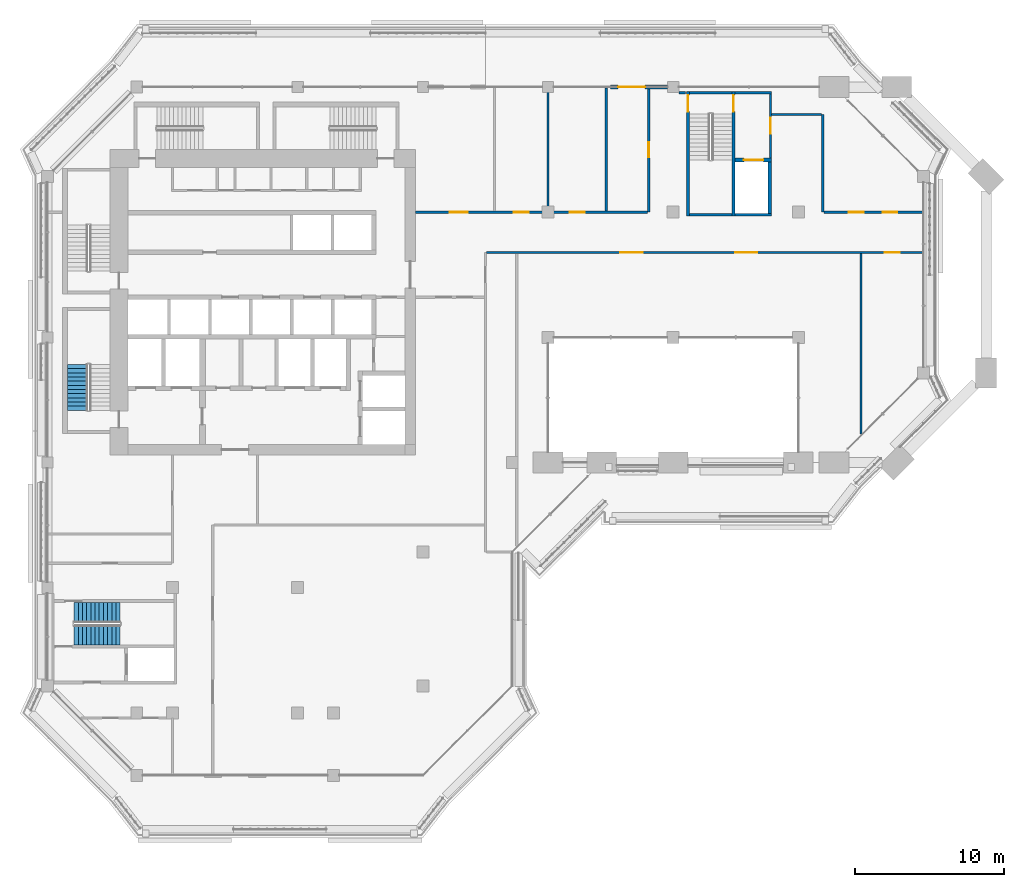
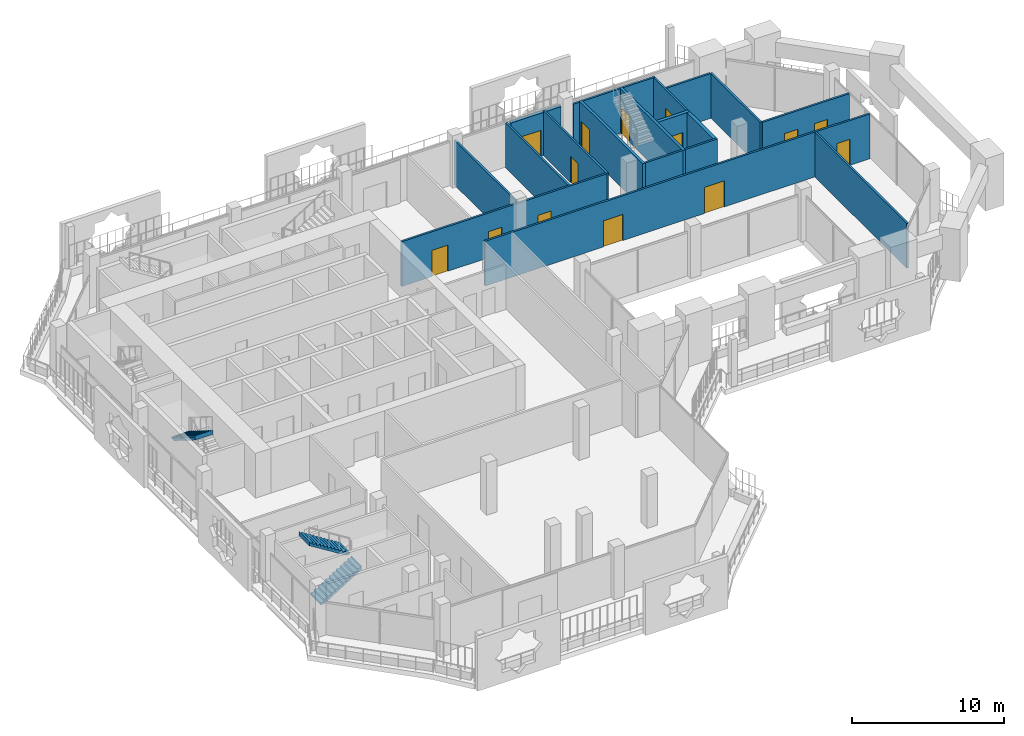
# One storey, part 13 of 23: 20 walls, 14 doors, 3 stair flights, 14 openings, 2 elements without a shape of their own.
"""IFC4 building model written with IfcOpenShell, lengths in metres."""

from ifc_helpers import new_model, si_unit, direction, frame, frame_2d, origin, place, context, subcontext, project, spatial, polyline, rectangle, outline, extrude, material, layer, layer_set, type_object, element, fill, aggregate, save


model = new_model("IFC4")

# Units and contexts
model_context = context("Model", 3, precision=1e-05, world=origin(), true_north=direction((0.0, 1.0)))
body_context = subcontext(model_context, "Body", "Model", "MODEL_VIEW")
ifc_project = project(units=[si_unit("LENGTHUNIT", "METRE"), si_unit("AREAUNIT", "SQUARE_METRE"), si_unit("VOLUMEUNIT", "CUBIC_METRE"), si_unit("PLANEANGLEUNIT", "RADIAN"), si_unit("MASSUNIT", "GRAM", prefix="KILO")], contexts=[model_context])

# Site, building, storey
site_placement = place(None, origin())
site = spatial("IfcSite", under=ifc_project, at=site_placement, CompositionType="ELEMENT")
building_placement = place(site_placement, origin())
building = spatial("IfcBuilding", under=site, at=building_placement, Name="Kawkab Arch Medical Tower", CompositionType="ELEMENT")
storey_placement = place(building_placement, frame((0.0, 0.0, 281.800048828125)))
storey = spatial("IfcBuildingStorey", under=building, at=storey_placement, Name="L65", CompositionType="ELEMENT", Elevation=281.800048828125)

# Wall, opening, door
ifc_material_1 = material(Name="Gypsum board on steel studs", Category="steel")
ifc_layer_1 = layer(ifc_material_1, 0.14990234375)
ifc_layer_set_1 = layer_set([ifc_layer_1], Name="Gypsum board on steel studs")
wall_type_1 = type_object("IfcWallType", Name="Core room partition 150", PredefinedType="PARTITIONING", material=ifc_layer_set_1)
wall_1_placement = place(storey_placement, frame((48.52490234375, -4.77490234375, 0.0), z_axis=(0.0, 0.0, 1.0), x_axis=(0.0, 1.0, 0.0)))
wall_1 = element("IfcWall", 1, at=wall_1_placement, inside=storey, type_object=wall_type_1, Name="L65 core room partition", PredefinedType="PARTITIONING", context=body_context, shape_type="SweptSolid", body=[
    extrude(rectangle(XDim=4.324951171875, YDim=0.14990234375, at=frame_2d((2.16259765625, 0.0))), origin(), (0.0, 0.0, 1.0), 3.599853515625),
])
opening_1_placement = place(wall_1_placement, frame((1.625, 0.0, 0.0)))
opening_1 = element("IfcOpeningElement", 2, at=opening_1_placement, cuts=wall_1, Name="Opening FD", PredefinedType="OPENING", context=body_context, shape_type="SweptSolid", body=[
    extrude(rectangle(XDim=1.10009765625, YDim=2.10009765625, at=frame_2d((0.550048828125, 1.050048828125))), frame((0.0, 0.0849609375, 0.0), z_axis=(0.0, -1.0, 0.0), x_axis=(1.0, 0.0, 0.0)), (0.0, 0.0, 1.0), 0.169921875),
])
ifc_material_2 = material(Name="Hollow metal fire door leaf")
door_type_1 = type_object("IfcDoorType", Name="Firefighting lobby door 1100", OperationType="SINGLE_SWING_LEFT", PredefinedType="DOOR", material=ifc_material_2)
door_1_placement = place(opening_1_placement, origin())
door_1 = element("IfcDoor", 3, at=door_1_placement, inside=storey, type_object=door_type_1, Name="L65 Service lift lobby door SV1", OperationType="SINGLE_SWING_LEFT", OverallHeight=2.10009765625, OverallWidth=1.10009765625, PredefinedType="DOOR", context=body_context, shape_type="SweptSolid", body=[
    extrude(rectangle(XDim=1.10009765625, YDim=2.10009765625, at=frame_2d((0.550048828125, 1.050048828125))), frame((0.0, 0.02490234375, 0.0), z_axis=(0.0, -1.0, 0.0), x_axis=(1.0, 0.0, 0.0)), (0.0, 0.0, 1.0), 0.050048828125),
])
fill(opening_1, door_1)

ifc_material_3 = material(Name="Concrete C60/75", Category="concrete")
ifc_layer_2 = layer(ifc_material_3, 0.25)
ifc_layer_set_2 = layer_set([ifc_layer_2], Name="Concrete C60/75")
wall_type_2 = type_object("IfcWallType", Name="Core shear wall 250 C60/75", PredefinedType="SHEAR", material=ifc_layer_set_2)
wall_2_placement = place(storey_placement, frame((46.14990234375, -4.89990234375, 0.0), z_axis=(0.0, 0.0, 1.0), x_axis=(1.0, 0.0, 0.0)))
wall_2 = element("IfcWall", 4, at=wall_2_placement, inside=storey, type_object=wall_type_2, Name="L65 core shear wall", PredefinedType="SHEAR", context=body_context, shape_type="SweptSolid", body=[
    extrude(rectangle(XDim=2.4501953125, YDim=0.25, at=frame_2d((1.22509765625, 0.0))), origin(), (0.0, 0.0, 1.0), 3.599853515625),
])
opening_2_placement = place(wall_2_placement, frame((0.60009765625, 0.0, 0.0)))
opening_2 = element("IfcOpeningElement", 5, at=opening_2_placement, cuts=wall_2, Name="Opening LD2", PredefinedType="OPENING", context=body_context, shape_type="SweptSolid", body=[
    extrude(rectangle(XDim=1.300048828125, YDim=2.10009765625, at=frame_2d((0.64990234375, 1.050048828125))), frame((0.0, 0.135009765625, 0.0), z_axis=(0.0, -1.0, 0.0), x_axis=(1.0, 0.0, 0.0)), (0.0, 0.0, 1.0), 0.27001953125),
])
ifc_material_4 = material(Name="Stainless steel lift door leaf", Category="steel")
door_type_2 = type_object("IfcDoorType", Name="Lift landing door 1300", OperationType="DOUBLE_DOOR_SLIDING", PredefinedType="DOOR", material=ifc_material_4)
door_2_placement = place(opening_2_placement, origin())
door_2 = element("IfcDoor", 6, at=door_2_placement, inside=storey, type_object=door_type_2, Name="L65 Lift landing door SV1", OperationType="DOUBLE_DOOR_SLIDING", OverallHeight=2.10009765625, OverallWidth=1.300048828125, PredefinedType="DOOR", context=body_context, shape_type="SweptSolid", body=[
    extrude(rectangle(XDim=1.300048828125, YDim=2.10009765625, at=frame_2d((0.64990234375, 1.050048828125))), frame((0.0, 0.02490234375, 0.0), z_axis=(0.0, -1.0, 0.0), x_axis=(1.0, 0.0, 0.0)), (0.0, 0.0, 1.0), 0.050048828125),
])
fill(opening_2, door_2)

# Wall
wall_3_placement = place(storey_placement, frame((48.47509765625, -8.5, 0.0), z_axis=(0.0, 0.0, 1.0), x_axis=(0.0, 1.0, 0.0)))
element("IfcWall", 7, at=wall_3_placement, inside=storey, type_object=wall_type_2, Name="L65 core shear wall", PredefinedType="SHEAR", context=body_context, shape_type="SweptSolid", body=[
    extrude(rectangle(XDim=3.47509765625, YDim=0.25, at=frame_2d((1.737548828125, 0.0))), origin(), (0.0, 0.0, 1.0), 3.599853515625),
])

# Wall, opening, door
ifc_material_5 = material(Name="Bronze clad insulated wall panel")
ifc_layer_3 = layer(ifc_material_5, 0.25)
ifc_layer_set_3 = layer_set([ifc_layer_3], Name="Bronze clad insulated wall panel")
wall_type_3 = type_object("IfcWallType", Name="External wall bay 250", PredefinedType="SOLIDWALL", material=ifc_layer_set_3)
wall_4_placement = place(storey_placement, frame((41.625, 0.0, 0.0), z_axis=(0.0, 0.0, 1.0), x_axis=(-1.0, 0.0, 0.0)))
wall_4 = element("IfcWall", 8, at=wall_4_placement, inside=storey, type_object=wall_type_3, Name="External wall bay L65.R10.2.1", PredefinedType="SOLIDWALL", context=body_context, shape_type="SweptSolid", body=[
    extrude(rectangle(XDim=3.824951171875, YDim=0.25, at=frame_2d((1.91259765625, 0.0))), origin(), (0.0, 0.0, 1.0), 3.47998046875),
])
opening_3_placement = place(wall_4_placement, frame((1.512451171875, 0.0, 0.0)))
opening_3 = element("IfcOpeningElement", 9, at=opening_3_placement, cuts=wall_4, Name="Opening B65-701", PredefinedType="OPENING", context=body_context, shape_type="SweptSolid", body=[
    extrude(rectangle(XDim=1.800048828125, YDim=2.10009765625, at=frame_2d((0.89990234375, 1.050048828125))), frame((0.0, 0.135009765625, 0.0), z_axis=(0.0, -1.0, 0.0), x_axis=(1.0, 0.0, 0.0)), (0.0, 0.0, 1.0), 0.27001953125),
])
ifc_material_6 = material(Name="Bronze anodised aluminium door with tinted glass", Category="aluminium")
door_type_3 = type_object("IfcDoorType", Name="Double external door 1800 x 2100", OperationType="DOUBLE_DOOR_SINGLE_SWING", PredefinedType="DOOR", material=ifc_material_6)
door_3_placement = place(opening_3_placement, origin())
door_3 = element("IfcDoor", 10, at=door_3_placement, inside=storey, type_object=door_type_3, Name="External door L65.R10.2.1", OperationType="DOUBLE_DOOR_SINGLE_SWING", OverallHeight=2.10009765625, OverallWidth=1.800048828125, PredefinedType="DOOR", context=body_context, shape_type="SweptSolid", body=[
    extrude(rectangle(XDim=1.800048828125, YDim=2.10009765625, at=frame_2d((0.89990234375, 1.050048828125))), frame((0.0, 0.02490234375, 0.0), z_axis=(0.0, -1.0, 0.0), x_axis=(1.0, 0.0, 0.0)), (0.0, 0.0, 1.0), 0.050048828125),
])
fill(opening_3, door_3)

# Wall, openings, doors
ifc_material_7 = material(Name="Gypsum board partition on steel studs, mineral wool", Category="steel")
ifc_layer_4 = layer(ifc_material_7, 0.14990234375)
ifc_layer_set_4 = layer_set([ifc_layer_4], Name="Gypsum board partition on steel studs, mineral wool")
wall_type_4 = type_object("IfcWallType", Name="Partition 150", PredefinedType="PARTITIONING", material=ifc_layer_set_4)
wall_5_placement = place(storey_placement, frame((29.47509765625, -11.10009765625, 0.0), z_axis=(0.0, 0.0, 1.0), x_axis=(1.0, 0.0, 0.0)))
wall_5 = element("IfcWall", 11, at=wall_5_placement, inside=storey, type_object=wall_type_4, Name="Partition 150 w007", PredefinedType="PARTITIONING", context=body_context, shape_type="SweptSolid", body=[
    extrude(rectangle(XDim=29.244873046875, YDim=0.14990234375, at=frame_2d((14.62255859375, 0.0))), origin(), (0.0, 0.0, 1.0), 3.599853515625),
])
opening_4_placement = place(wall_5_placement, frame((26.72509765625, 0.0, 0.0)))
opening_4 = element("IfcOpeningElement", 12, at=opening_4_placement, cuts=wall_5, Name="Opening B65-014", PredefinedType="OPENING", context=body_context, shape_type="SweptSolid", body=[
    extrude(rectangle(XDim=1.0, YDim=2.10009765625, at=frame_2d((0.5, 1.050048828125))), frame((0.0, 0.0849609375, 0.0), z_axis=(0.0, -1.0, 0.0), x_axis=(1.0, 0.0, 0.0)), (0.0, 0.0, 1.0), 0.169921875),
])
opening_5_placement = place(wall_5_placement, frame((16.675048828125, 0.0, 0.0)))
opening_5 = element("IfcOpeningElement", 13, at=opening_5_placement, cuts=wall_5, Name="Opening B65-003", PredefinedType="OPENING", context=body_context, shape_type="SweptSolid", body=[
    extrude(rectangle(XDim=1.5, YDim=2.10009765625, at=frame_2d((0.75, 1.050048828125))), frame((0.0, 0.0849609375, 0.0), z_axis=(0.0, -1.0, 0.0), x_axis=(1.0, 0.0, 0.0)), (0.0, 0.0, 1.0), 0.169921875),
])
opening_6_placement = place(wall_5_placement, frame((8.97509765625, 0.0, 0.0)))
opening_6 = element("IfcOpeningElement", 14, at=opening_6_placement, cuts=wall_5, Name="Opening B65-004", PredefinedType="OPENING", context=body_context, shape_type="SweptSolid", body=[
    extrude(rectangle(XDim=1.5, YDim=2.10009765625, at=frame_2d((0.75, 1.050048828125))), frame((0.0, 0.0849609375, 0.0), z_axis=(0.0, -1.0, 0.0), x_axis=(1.0, 0.0, 0.0)), (0.0, 0.0, 1.0), 0.169921875),
])
ifc_material_8 = material(Name="Hollow metal door leaf")
door_type_4 = type_object("IfcDoorType", Name="Double door 1500x2100 FD30S", OperationType="NOTDEFINED", PredefinedType="DOOR", material=ifc_material_8)
door_4_placement = place(opening_5_placement, origin())
door_4 = element("IfcDoor", 15, at=door_4_placement, inside=storey, type_object=door_type_4, Name="Door B65-003", OperationType="DOUBLE_DOOR_SINGLE_SWING", OverallHeight=2.10009765625, OverallWidth=1.5, PredefinedType="DOOR", context=body_context, shape_type="SweptSolid", body=[
    extrude(rectangle(XDim=1.5, YDim=2.10009765625, at=frame_2d((0.75, 1.050048828125))), frame((0.0, 0.02490234375, 0.0), z_axis=(0.0, -1.0, 0.0), x_axis=(1.0, 0.0, 0.0)), (0.0, 0.0, 1.0), 0.050048828125),
])
fill(opening_5, door_4)
door_5_placement = place(opening_6_placement, origin())
door_5 = element("IfcDoor", 16, at=door_5_placement, inside=storey, type_object=door_type_4, Name="Door B65-004", OperationType="DOUBLE_DOOR_SINGLE_SWING", OverallHeight=2.10009765625, OverallWidth=1.5, PredefinedType="DOOR", context=body_context, shape_type="SweptSolid", body=[
    extrude(rectangle(XDim=1.5, YDim=2.10009765625, at=frame_2d((0.75, 1.050048828125))), frame((0.0, 0.02490234375, 0.0), z_axis=(0.0, -1.0, 0.0), x_axis=(1.0, 0.0, 0.0)), (0.0, 0.0, 1.0), 0.050048828125),
])
fill(opening_6, door_5)
ifc_material_9 = material(Name="Hollow metal door leaf")
door_type_5 = type_object("IfcDoorType", Name="Single door 1000x2100 FD30S", OperationType="NOTDEFINED", PredefinedType="DOOR", material=ifc_material_9)
door_6_placement = place(opening_4_placement, origin())
door_6 = element("IfcDoor", 17, at=door_6_placement, inside=storey, type_object=door_type_5, Name="Door B65-014", OperationType="SINGLE_SWING_LEFT", OverallHeight=2.10009765625, OverallWidth=1.0, PredefinedType="DOOR", context=body_context, shape_type="SweptSolid", body=[
    extrude(rectangle(XDim=1.0, YDim=2.10009765625, at=frame_2d((0.5, 1.050048828125))), frame((0.0, 0.02490234375, 0.0), z_axis=(0.0, -1.0, 0.0), x_axis=(1.0, 0.0, 0.0)), (0.0, 0.0, 1.0), 0.050048828125),
])
fill(opening_4, door_6)

wall_6_placement = place(storey_placement, frame((24.699951171875, -8.39990234375, 0.0), z_axis=(0.0, 0.0, 1.0), x_axis=(1.0, 0.0, 0.0)))
wall_6 = element("IfcWall", 18, at=wall_6_placement, inside=storey, type_object=wall_type_4, Name="Partition 150 w009", PredefinedType="PARTITIONING", context=body_context, shape_type="SweptSolid", body=[
    extrude(rectangle(XDim=15.58203125, YDim=0.14990234375, at=frame_2d((7.791015625, 0.0))), origin(), (0.0, 0.0, 1.0), 3.599853515625),
])
opening_7_placement = place(wall_6_placement, frame((2.300048828125, 0.0, 0.0)))
opening_7 = element("IfcOpeningElement", 19, at=opening_7_placement, cuts=wall_6, Name="Opening B65-018", PredefinedType="OPENING", context=body_context, shape_type="SweptSolid", body=[
    extrude(rectangle(XDim=1.199951171875, YDim=2.10009765625, at=frame_2d((0.60009765625, 1.050048828125))), frame((0.0, 0.0849609375, 0.0), z_axis=(0.0, -1.0, 0.0), x_axis=(1.0, 0.0, 0.0)), (0.0, 0.0, 1.0), 0.169921875),
])
opening_8_placement = place(wall_6_placement, frame((6.60009765625, 0.0, 0.0)))
opening_8 = element("IfcOpeningElement", 20, at=opening_8_placement, cuts=wall_6, Name="Opening B65-009", PredefinedType="OPENING", context=body_context, shape_type="SweptSolid", body=[
    extrude(rectangle(XDim=1.0, YDim=2.10009765625, at=frame_2d((0.5, 1.050048828125))), frame((0.0, 0.0849609375, 0.0), z_axis=(0.0, -1.0, 0.0), x_axis=(1.0, 0.0, 0.0)), (0.0, 0.0, 1.0), 0.169921875),
])
opening_9_placement = place(wall_6_placement, frame((10.35009765625, 0.0, 0.0)))
opening_9 = element("IfcOpeningElement", 21, at=opening_9_placement, cuts=wall_6, Name="Opening B65-010", PredefinedType="OPENING", context=body_context, shape_type="SweptSolid", body=[
    extrude(rectangle(XDim=1.0, YDim=2.10009765625, at=frame_2d((0.5, 1.050048828125))), frame((0.0, 0.0849609375, 0.0), z_axis=(0.0, -1.0, 0.0), x_axis=(1.0, 0.0, 0.0)), (0.0, 0.0, 1.0), 0.169921875),
])
door_7_placement = place(opening_8_placement, origin())
door_7 = element("IfcDoor", 22, at=door_7_placement, inside=storey, type_object=door_type_5, Name="Door B65-009", OperationType="SINGLE_SWING_LEFT", OverallHeight=2.10009765625, OverallWidth=1.0, PredefinedType="DOOR", context=body_context, shape_type="SweptSolid", body=[
    extrude(rectangle(XDim=1.0, YDim=2.10009765625, at=frame_2d((0.5, 1.050048828125))), frame((0.0, 0.02490234375, 0.0), z_axis=(0.0, -1.0, 0.0), x_axis=(1.0, 0.0, 0.0)), (0.0, 0.0, 1.0), 0.050048828125),
])
fill(opening_8, door_7)
door_8_placement = place(opening_9_placement, origin())
door_8 = element("IfcDoor", 23, at=door_8_placement, inside=storey, type_object=door_type_5, Name="Door B65-010", OperationType="SINGLE_SWING_RIGHT", OverallHeight=2.10009765625, OverallWidth=1.0, PredefinedType="DOOR", context=body_context, shape_type="SweptSolid", body=[
    extrude(rectangle(XDim=1.0, YDim=2.10009765625, at=frame_2d((0.5, 1.050048828125))), frame((0.0, 0.02490234375, 0.0), z_axis=(0.0, -1.0, 0.0), x_axis=(1.0, 0.0, 0.0)), (0.0, 0.0, 1.0), 0.050048828125),
])
fill(opening_9, door_8)
ifc_material_10 = material(Name="Hollow metal door leaf")
door_type_6 = type_object("IfcDoorType", Name="Single door 1200x2100 FD30S", OperationType="NOTDEFINED", PredefinedType="DOOR", material=ifc_material_10)
door_9_placement = place(opening_7_placement, origin())
door_9 = element("IfcDoor", 24, at=door_9_placement, inside=storey, type_object=door_type_6, Name="Door B65-018", OperationType="SINGLE_SWING_LEFT", OverallHeight=2.10009765625, OverallWidth=1.199951171875, PredefinedType="DOOR", context=body_context, shape_type="SweptSolid", body=[
    extrude(rectangle(XDim=1.199951171875, YDim=2.10009765625, at=frame_2d((0.60009765625, 1.050048828125))), frame((0.0, 0.02490234375, 0.0), z_axis=(0.0, -1.0, 0.0), x_axis=(1.0, 0.0, 0.0)), (0.0, 0.0, 1.0), 0.050048828125),
])
fill(opening_7, door_9)

wall_7_placement = place(storey_placement, frame((52.117919921875, -8.39990234375, 0.0), z_axis=(0.0, 0.0, 1.0), x_axis=(1.0, 0.0, 0.0)))
wall_7 = element("IfcWall", 25, at=wall_7_placement, inside=storey, type_object=wall_type_4, Name="Partition 150 w010", PredefinedType="PARTITIONING", context=body_context, shape_type="SweptSolid", body=[
    extrude(rectangle(XDim=6.60205078125, YDim=0.14990234375, at=frame_2d((3.301025390625, 0.0))), origin(), (0.0, 0.0, 1.0), 3.599853515625),
])
opening_10_placement = place(wall_7_placement, frame((1.677001953125, 0.0, 0.0)))
opening_10 = element("IfcOpeningElement", 26, at=opening_10_placement, cuts=wall_7, Name="Opening B65-012", PredefinedType="OPENING", context=body_context, shape_type="SweptSolid", body=[
    extrude(rectangle(XDim=1.0, YDim=2.10009765625, at=frame_2d((0.5, 1.050048828125))), frame((0.0, 0.0849609375, 0.0), z_axis=(0.0, -1.0, 0.0), x_axis=(1.0, 0.0, 0.0)), (0.0, 0.0, 1.0), 0.169921875),
])
opening_11_placement = place(wall_7_placement, frame((3.929931640625, 0.0, 0.0)))
opening_11 = element("IfcOpeningElement", 27, at=opening_11_placement, cuts=wall_7, Name="Opening B65-013", PredefinedType="OPENING", context=body_context, shape_type="SweptSolid", body=[
    extrude(rectangle(XDim=1.0, YDim=2.10009765625, at=frame_2d((0.5, 1.050048828125))), frame((0.0, 0.0849609375, 0.0), z_axis=(0.0, -1.0, 0.0), x_axis=(1.0, 0.0, 0.0)), (0.0, 0.0, 1.0), 0.169921875),
])
door_10_placement = place(opening_10_placement, origin())
door_10 = element("IfcDoor", 28, at=door_10_placement, inside=storey, type_object=door_type_5, Name="Door B65-012", OperationType="SINGLE_SWING_LEFT", OverallHeight=2.10009765625, OverallWidth=1.0, PredefinedType="DOOR", context=body_context, shape_type="SweptSolid", body=[
    extrude(rectangle(XDim=1.0, YDim=2.10009765625, at=frame_2d((0.5, 1.050048828125))), frame((0.0, 0.02490234375, 0.0), z_axis=(0.0, -1.0, 0.0), x_axis=(1.0, 0.0, 0.0)), (0.0, 0.0, 1.0), 0.050048828125),
])
fill(opening_10, door_10)
door_11_placement = place(opening_11_placement, origin())
door_11 = element("IfcDoor", 29, at=door_11_placement, inside=storey, type_object=door_type_5, Name="Door B65-013", OperationType="SINGLE_SWING_RIGHT", OverallHeight=2.10009765625, OverallWidth=1.0, PredefinedType="DOOR", context=body_context, shape_type="SweptSolid", body=[
    extrude(rectangle(XDim=1.0, YDim=2.10009765625, at=frame_2d((0.5, 1.050048828125))), frame((0.0, 0.02490234375, 0.0), z_axis=(0.0, -1.0, 0.0), x_axis=(1.0, 0.0, 0.0)), (0.0, 0.0, 1.0), 0.050048828125),
])
fill(opening_11, door_11)

# Walls
wall_8_placement = place(storey_placement, frame((48.60009765625, -1.85009765625, 0.0), z_axis=(0.0, 0.0, 1.0), x_axis=(1.0, 0.0, 0.0)))
element("IfcWall", 30, at=wall_8_placement, inside=storey, type_object=wall_type_4, Name="Partition 150 w011", PredefinedType="PARTITIONING", context=body_context, shape_type="SweptSolid", body=[
    extrude(rectangle(XDim=3.366943359375, YDim=0.14990234375, at=frame_2d((1.68359375, 0.0))), origin(), (0.0, 0.0, 1.0), 3.599853515625),
])
wall_9_placement = place(storey_placement, frame((42.3759765625, -0.375, 0.0), z_axis=(0.0, 0.0, 1.0), x_axis=(1.0, 0.0, 0.0)))
element("IfcWall", 31, at=wall_9_placement, inside=storey, type_object=wall_type_4, Name="Partition 150 w012", PredefinedType="PARTITIONING", context=body_context, shape_type="SweptSolid", body=[
    extrude(rectangle(XDim=0.444091796875, YDim=0.14990234375, at=frame_2d((0.22216796875, 0.0))), origin(), (0.0, 0.0, 1.0), 3.599853515625),
])
for number, where, z_axis, x_axis, name in (
    (32, (33.60009765625, -8.324951171875, 0.0), (0.0, 0.0, 1.0), (0.0, 1.0, 0.0), "Partition 150 w021"),
    (33, (37.5, -8.324951171875, 0.0), (0.0, 0.0, 1.0), (0.0, 1.0, 0.0), "Partition 150 w022"),
):
    element("IfcWall", number, at=place(storey_placement, frame(where, z_axis=z_axis, x_axis=x_axis)), inside=storey, type_object=wall_type_4, Name=name, PredefinedType="PARTITIONING", context=body_context, shape_type="SweptSolid", body=[
        extrude(rectangle(XDim=8.244873046875, YDim=0.14990234375, at=frame_2d((4.12255859375, 0.0))), origin(), (0.0, 0.0, 1.0), 3.599853515625),
    ])

# Wall, opening, door
wall_10_placement = place(storey_placement, frame((40.35693359375, -8.39990234375, 0.0), z_axis=(0.0, 0.0, 1.0), x_axis=(0.0, 1.0, 0.0)))
wall_10 = element("IfcWall", 34, at=wall_10_placement, inside=storey, type_object=wall_type_4, Name="Partition 150 w023", PredefinedType="PARTITIONING", context=body_context, shape_type="SweptSolid", body=[
    extrude(rectangle(XDim=8.31982421875, YDim=0.14990234375, at=frame_2d((4.159912109375, 0.0))), origin(), (0.0, 0.0, 1.0), 3.599853515625),
])
opening_12_placement = place(wall_10_placement, frame((3.699951171875, 0.0, 0.0)))
opening_12 = element("IfcOpeningElement", 35, at=opening_12_placement, cuts=wall_10, Name="Opening B65-011", PredefinedType="OPENING", context=body_context, shape_type="SweptSolid", body=[
    extrude(rectangle(XDim=1.0, YDim=2.10009765625, at=frame_2d((0.5, 1.050048828125))), frame((0.0, 0.0849609375, 0.0), z_axis=(0.0, -1.0, 0.0), x_axis=(1.0, 0.0, 0.0)), (0.0, 0.0, 1.0), 0.169921875),
])
door_12_placement = place(opening_12_placement, origin())
door_12 = element("IfcDoor", 36, at=door_12_placement, inside=storey, type_object=door_type_5, Name="Door B65-011", OperationType="SINGLE_SWING_RIGHT", OverallHeight=2.10009765625, OverallWidth=1.0, PredefinedType="DOOR", context=body_context, shape_type="SweptSolid", body=[
    extrude(rectangle(XDim=1.0, YDim=2.10009765625, at=frame_2d((0.5, 1.050048828125))), frame((0.0, 0.02490234375, 0.0), z_axis=(0.0, -1.0, 0.0), x_axis=(1.0, 0.0, 0.0)), (0.0, 0.0, 1.0), 0.050048828125),
])
fill(opening_12, door_12)

# Walls
wall_11_placement = place(storey_placement, frame((52.04296875, -8.39990234375, 0.0), z_axis=(0.0, 0.0, 1.0), x_axis=(0.0, 1.0, 0.0)))
element("IfcWall", 37, at=wall_11_placement, inside=storey, type_object=wall_type_4, Name="Partition 150 w024", PredefinedType="PARTITIONING", context=body_context, shape_type="SweptSolid", body=[
    extrude(rectangle(XDim=6.5478515625, YDim=0.14990234375, at=frame_2d((3.27392578125, 0.0))), origin(), (0.0, 0.0, 1.0), 3.599853515625),
])
wall_12_placement = place(storey_placement, frame((54.60009765625, -23.287109375, 0.0), z_axis=(0.0, 0.0, 1.0), x_axis=(0.0, 1.0, 0.0)))
element("IfcWall", 38, at=wall_12_placement, inside=storey, type_object=wall_type_4, Name="Partition 150 w025", PredefinedType="PARTITIONING", context=body_context, shape_type="SweptSolid", body=[
    extrude(rectangle(XDim=12.112060546875, YDim=0.14990234375, at=frame_2d((6.05615234375, 0.0))), origin(), (0.0, 0.0, 1.0), 3.599853515625),
])
ifc_material_11 = material(Name="Concrete C50/60", Category="concrete")
ifc_layer_5 = layer(ifc_material_11, 0.14990234375)
ifc_layer_set_5 = layer_set([ifc_layer_5], Name="Concrete C50/60")
wall_type_5 = type_object("IfcWallType", Name="Stair enclosure wall 150 C50/60", PredefinedType="SHEAR", material=ifc_layer_set_5)
wall_13_placement = place(storey_placement, frame((43.10009765625, -0.375, 0.0), z_axis=(0.0, 0.0, 1.0), x_axis=(1.0, 0.0, 0.0)))
element("IfcWall", 39, at=wall_13_placement, inside=storey, type_object=wall_type_5, Name="L65 stair enclosure wall", PredefinedType="SHEAR", context=body_context, shape_type="SweptSolid", body=[
    extrude(rectangle(XDim=2.849853515625, YDim=0.14990234375, at=frame_2d((1.4248046875, 0.0))), origin(), (0.0, 0.0, 1.0), 3.599853515625),
])
wall_14_placement = place(storey_placement, frame((46.14990234375, -0.375, 0.0), z_axis=(0.0, 0.0, 1.0), x_axis=(1.0, 0.0, 0.0)))
element("IfcWall", 40, at=wall_14_placement, inside=storey, type_object=wall_type_5, Name="L65 stair enclosure wall", PredefinedType="SHEAR", context=body_context, shape_type="SweptSolid", body=[
    extrude(rectangle(XDim=2.4501953125, YDim=0.14990234375, at=frame_2d((1.22509765625, 0.0))), origin(), (0.0, 0.0, 1.0), 3.599853515625),
])
wall_15_placement = place(storey_placement, frame((43.10009765625, -8.574951171875, 0.0), z_axis=(0.0, 0.0, 1.0), x_axis=(1.0, 0.0, 0.0)))
element("IfcWall", 41, at=wall_15_placement, inside=storey, type_object=wall_type_5, Name="L65 stair enclosure wall", PredefinedType="SHEAR", context=body_context, shape_type="SweptSolid", body=[
    extrude(rectangle(XDim=2.849853515625, YDim=0.14990234375, at=frame_2d((1.4248046875, 0.0))), origin(), (0.0, 0.0, 1.0), 3.599853515625),
])
wall_16_placement = place(storey_placement, frame((46.14990234375, -8.574951171875, 0.0), z_axis=(0.0, 0.0, 1.0), x_axis=(1.0, 0.0, 0.0)))
element("IfcWall", 42, at=wall_16_placement, inside=storey, type_object=wall_type_5, Name="L65 stair enclosure wall", PredefinedType="SHEAR", context=body_context, shape_type="SweptSolid", body=[
    extrude(rectangle(XDim=2.4501953125, YDim=0.14990234375, at=frame_2d((1.22509765625, 0.0))), origin(), (0.0, 0.0, 1.0), 3.599853515625),
])

# Wall, opening, door
ifc_material_12 = material(Name="Concrete C50/60", Category="concrete")
ifc_layer_6 = layer(ifc_material_12, 0.199951171875)
ifc_layer_set_6 = layer_set([ifc_layer_6], Name="Concrete C50/60")
wall_type_6 = type_object("IfcWallType", Name="Stair enclosure wall 200 C50/60", PredefinedType="SHEAR", material=ifc_layer_set_6)
wall_17_placement = place(storey_placement, frame((43.0, -8.64990234375, 0.0), z_axis=(0.0, 0.0, 1.0), x_axis=(0.0, 1.0, 0.0)))
wall_17 = element("IfcWall", 43, at=wall_17_placement, inside=storey, type_object=wall_type_6, Name="L65 stair enclosure wall", PredefinedType="SHEAR", context=body_context, shape_type="SweptSolid", body=[
    extrude(rectangle(XDim=8.349853515625, YDim=0.199951171875, at=frame_2d((4.1748046875, 0.0))), origin(), (0.0, 0.0, 1.0), 3.599853515625),
])
opening_13_placement = place(wall_17_placement, frame((7.0, 0.0, 0.0)))
opening_13 = element("IfcOpeningElement", 44, at=opening_13_placement, cuts=wall_17, Name="Opening SD", PredefinedType="OPENING", context=body_context, shape_type="SweptSolid", body=[
    extrude(rectangle(XDim=1.10009765625, YDim=2.10009765625, at=frame_2d((0.550048828125, 1.050048828125))), frame((0.0, 0.10986328125, 0.0), z_axis=(0.0, -1.0, 0.0), x_axis=(1.0, 0.0, 0.0)), (0.0, 0.0, 1.0), 0.219970703125),
])
ifc_material_13 = material(Name="Hollow metal fire door leaf")
door_type_7 = type_object("IfcDoorType", Name="Exit stair door 1100", OperationType="SINGLE_SWING_LEFT", PredefinedType="DOOR", material=ifc_material_13)
door_13_placement = place(opening_13_placement, frame((1.10009765625, 0.0, 0.0), z_axis=(0.0, 0.0, 1.0), x_axis=(-1.0, 0.0, 0.0)))
door_13 = element("IfcDoor", 45, at=door_13_placement, inside=storey, type_object=door_type_7, Name="L65 Exit stair ST5 door", OperationType="SINGLE_SWING_LEFT", OverallHeight=2.10009765625, OverallWidth=1.10009765625, PredefinedType="DOOR", context=body_context, shape_type="SweptSolid", body=[
    extrude(rectangle(XDim=1.10009765625, YDim=2.10009765625, at=frame_2d((0.550048828125, 1.050048828125))), frame((0.0, 0.02490234375, 0.0), z_axis=(0.0, -1.0, 0.0), x_axis=(1.0, 0.0, 0.0)), (0.0, 0.0, 1.0), 0.050048828125),
])
fill(opening_13, door_13)

wall_18_placement = place(storey_placement, frame((46.050048828125, -8.64990234375, 0.0), z_axis=(0.0, 0.0, 1.0), x_axis=(0.0, 1.0, 0.0)))
wall_18 = element("IfcWall", 46, at=wall_18_placement, inside=storey, type_object=wall_type_6, Name="L65 stair enclosure wall", PredefinedType="SHEAR", context=body_context, shape_type="SweptSolid", body=[
    extrude(rectangle(XDim=8.349853515625, YDim=0.199951171875, at=frame_2d((4.1748046875, 0.0))), origin(), (0.0, 0.0, 1.0), 3.599853515625),
])
opening_14_placement = place(wall_18_placement, frame((7.0, 0.0, 0.0)))
opening_14 = element("IfcOpeningElement", 47, at=opening_14_placement, cuts=wall_18, Name="Opening SD", PredefinedType="OPENING", context=body_context, shape_type="SweptSolid", body=[
    extrude(rectangle(XDim=1.10009765625, YDim=2.10009765625, at=frame_2d((0.550048828125, 1.050048828125))), frame((0.0, 0.10986328125, 0.0), z_axis=(0.0, -1.0, 0.0), x_axis=(1.0, 0.0, 0.0)), (0.0, 0.0, 1.0), 0.219970703125),
])
door_14_placement = place(opening_14_placement, origin())
door_14 = element("IfcDoor", 48, at=door_14_placement, inside=storey, type_object=door_type_7, Name="L65 Exit stair ST5 lobby door", OperationType="SINGLE_SWING_LEFT", OverallHeight=2.10009765625, OverallWidth=1.10009765625, PredefinedType="DOOR", context=body_context, shape_type="SweptSolid", body=[
    extrude(rectangle(XDim=1.10009765625, YDim=2.10009765625, at=frame_2d((0.550048828125, 1.050048828125))), frame((0.0, 0.02490234375, 0.0), z_axis=(0.0, -1.0, 0.0), x_axis=(1.0, 0.0, 0.0)), (0.0, 0.0, 1.0), 0.050048828125),
])
fill(opening_14, door_14)

# Stair, stair flight
ifc_material_14 = material(Name="Concrete C40/50", Category="concrete")
stair_type = type_object("IfcStairType", Name="Exit stair 1350", PredefinedType="HALF_TURN_STAIR", material=ifc_material_14)
placement = place(storey_placement, origin())
stair_1 = element("IfcStair", 49, at=placement, inside=storey, type_object=stair_type, Name="L65 Exit stair ST2", PredefinedType="HALF_TURN_STAIR")
ifc_material_15 = material(Name="Concrete C40/50", Category="concrete")
stair_flight_type = type_object("IfcStairFlightType", Name="Exit stair flight 1350", PredefinedType="STRAIGHT", material=ifc_material_15)
stair_flight_1_placement = place(storey_placement, frame((2.02490234375, -18.6201171875, 2.099853515625), z_axis=(0.0, 0.0, 1.0), x_axis=(0.0, -1.0, 0.0)))
stair_flight_1 = element("IfcStairFlight", 50, at=stair_flight_1_placement, type_object=stair_flight_type, Name="ST2 flight 2", NumberOfRisers=12, NumberOfTreads=11, PredefinedType="STRAIGHT", RiserHeight=0.175, TreadLength=0.28, context=body_context, shape_type="SweptSolid", body=[
    extrude(outline(polyline([(-0.0029296875, 0.0), (-0.0029296875, 0.175048828125), (0.0, 0.175048828125), (0.280029296875, 0.175048828125), (0.280029296875, 0.35009765625), (0.56005859375, 0.35009765625), (0.56005859375, 0.52490234375), (0.840087890625, 0.52490234375), (0.840087890625, 0.699951171875), (1.1201171875, 0.699951171875), (1.1201171875, 0.875), (1.39990234375, 0.875), (1.39990234375, 1.050048828125), (1.679931640625, 1.050048828125), (1.679931640625, 1.22509765625), (1.9599609375, 1.22509765625), (1.9599609375, 1.39990234375), (2.239990234375, 1.39990234375), (2.239990234375, 1.574951171875), (2.52001953125, 1.574951171875), (2.52001953125, 1.75), (2.800048828125, 1.75), (2.800048828125, 1.925048828125), (3.080078125, 1.925048828125), (3.080078125, 2.10009765625), (3.0830078125, 2.10009765625), (3.0830078125, 1.748291015625), (3.080078125, 1.748291015625), (0.28271484375, 0.0), (-0.0029296875, 0.0)])), frame((0.0, 0.675048828125, 0.0), z_axis=(0.0, -1.0, 0.0), x_axis=(1.0, 0.0, 0.0)), (0.0, 0.0, 1.0), 1.35009765625),
])
aggregate(stair_1, [stair_flight_1])

# Stair, stair flights
stair_2 = element("IfcStair", 51, at=placement, inside=storey, type_object=stair_type, Name="L65 Exit stair ST6", PredefinedType="HALF_TURN_STAIR")
stair_flight_2_placement = place(storey_placement, frame((1.800048828125, -36.77490234375, 0.0), z_axis=(0.0, 0.0, 1.0), x_axis=(1.0, 0.0, 0.0)))
stair_flight_2 = element("IfcStairFlight", 52, at=stair_flight_2_placement, type_object=stair_flight_type, Name="ST6 flight 1", NumberOfRisers=12, NumberOfTreads=11, PredefinedType="STRAIGHT", RiserHeight=0.175, TreadLength=0.28, context=body_context, shape_type="SweptSolid", body=[
    extrude(outline(polyline([(-0.0029296875, 0.0), (-0.0029296875, 0.175048828125), (0.0, 0.175048828125), (0.280029296875, 0.175048828125), (0.280029296875, 0.35009765625), (0.56005859375, 0.35009765625), (0.56005859375, 0.52490234375), (0.840087890625, 0.52490234375), (0.840087890625, 0.699951171875), (1.1201171875, 0.699951171875), (1.1201171875, 0.875), (1.39990234375, 0.875), (1.39990234375, 1.050048828125), (1.679931640625, 1.050048828125), (1.679931640625, 1.22509765625), (1.9599609375, 1.22509765625), (1.9599609375, 1.39990234375), (2.239990234375, 1.39990234375), (2.239990234375, 1.574951171875), (2.52001953125, 1.574951171875), (2.52001953125, 1.75), (2.800048828125, 1.75), (2.800048828125, 1.925048828125), (3.080078125, 1.925048828125), (3.080078125, 2.10009765625), (3.0830078125, 2.10009765625), (3.0830078125, 1.748291015625), (3.080078125, 1.748291015625), (0.28271484375, 0.0), (-0.0029296875, 0.0)])), frame((0.0, 0.675048828125, 0.0), z_axis=(0.0, -1.0, 0.0), x_axis=(1.0, 0.0, 0.0)), (0.0, 0.0, 1.0), 1.35009765625),
])
stair_flight_3_placement = place(storey_placement, frame((4.8798828125, -35.27490234375, 2.099853515625), z_axis=(0.0, 0.0, 1.0), x_axis=(-1.0, 0.0, 0.0)))
stair_flight_3 = element("IfcStairFlight", 53, at=stair_flight_3_placement, type_object=stair_flight_type, Name="ST6 flight 2", NumberOfRisers=12, NumberOfTreads=11, PredefinedType="STRAIGHT", RiserHeight=0.175, TreadLength=0.28, context=body_context, shape_type="SweptSolid", body=[
    extrude(outline(polyline([(-0.0029296875, 0.0), (-0.0029296875, 0.175048828125), (0.0, 0.175048828125), (0.280029296875, 0.175048828125), (0.280029296875, 0.35009765625), (0.56005859375, 0.35009765625), (0.56005859375, 0.52490234375), (0.840087890625, 0.52490234375), (0.840087890625, 0.699951171875), (1.1201171875, 0.699951171875), (1.1201171875, 0.875), (1.39990234375, 0.875), (1.39990234375, 1.050048828125), (1.679931640625, 1.050048828125), (1.679931640625, 1.22509765625), (1.9599609375, 1.22509765625), (1.9599609375, 1.39990234375), (2.239990234375, 1.39990234375), (2.239990234375, 1.574951171875), (2.52001953125, 1.574951171875), (2.52001953125, 1.75), (2.800048828125, 1.75), (2.800048828125, 1.925048828125), (3.080078125, 1.925048828125), (3.080078125, 2.10009765625), (3.0830078125, 2.10009765625), (3.0830078125, 1.748291015625), (3.080078125, 1.748291015625), (0.28271484375, 0.0), (-0.0029296875, 0.0)])), frame((0.0, 0.675048828125, 0.0), z_axis=(0.0, -1.0, 0.0), x_axis=(1.0, 0.0, 0.0)), (0.0, 0.0, 1.0), 1.35009765625),
])
aggregate(stair_2, [stair_flight_2, stair_flight_3])

save(model, "model.ifc")
